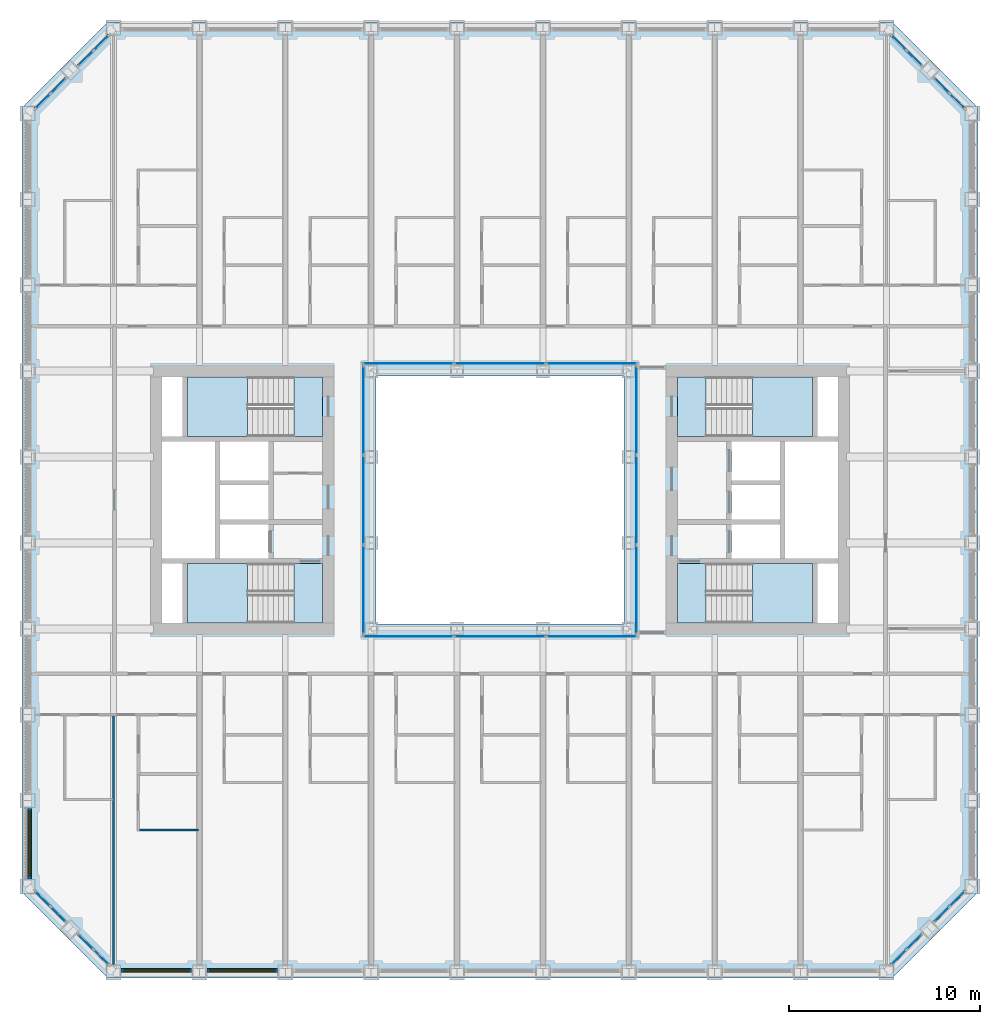
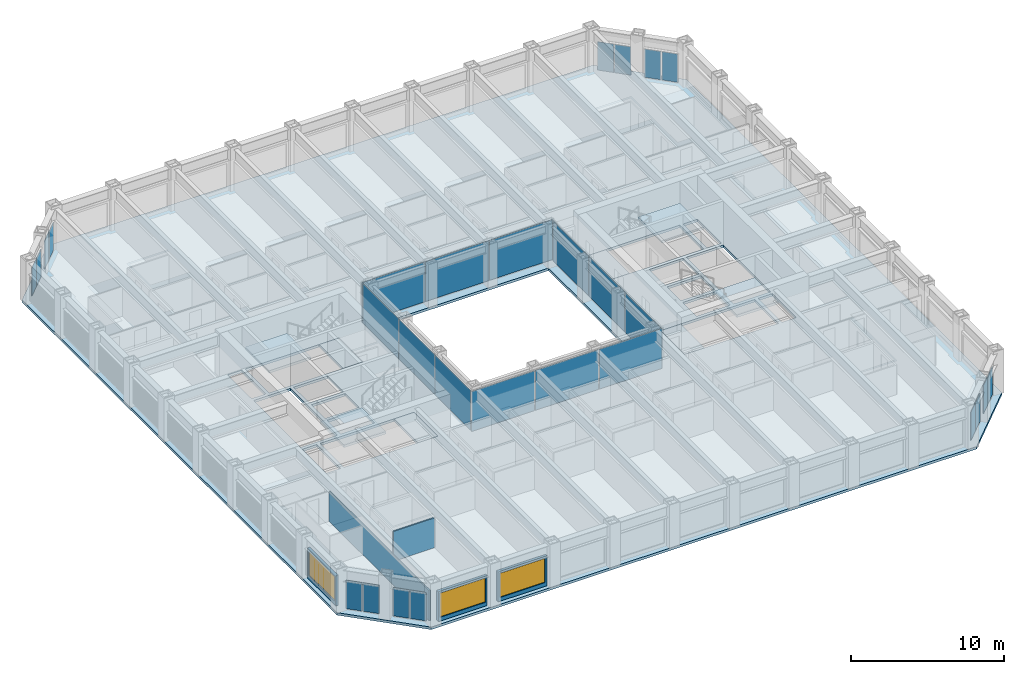
# One storey, part 8 of 21: 28 plates, 9 slabs, 5 walls, 3 windows, 3 openings, 16 elements without a shape of their own.
"""IFC4 building model written with IfcOpenShell, lengths in metres."""

from ifc_helpers import new_model, si_unit, direction, frame, frame_2d, origin, origin_2d, place, context, subcontext, project, spatial, polyline, rectangle, outline, extrude, material, layer, layer_set, type_object, element, fill, aggregate, save


model = new_model("IFC4")

# Units and contexts
model_context = context("Model", 3, precision=1e-05, world=origin(), true_north=direction((0.0, 1.0)))
body_context = subcontext(model_context, "Body", "Model", "MODEL_VIEW")
ifc_project = project(units=[si_unit("LENGTHUNIT", "METRE"), si_unit("AREAUNIT", "SQUARE_METRE"), si_unit("VOLUMEUNIT", "CUBIC_METRE"), si_unit("PLANEANGLEUNIT", "RADIAN"), si_unit("MASSUNIT", "GRAM", prefix="KILO")], contexts=[model_context])

# Site, building, storey
site_placement = place(None, origin())
site = spatial("IfcSite", under=ifc_project, at=site_placement, CompositionType="ELEMENT")
building_placement = place(site_placement, origin())
building = spatial("IfcBuilding", under=site, at=building_placement, Name="Msasa Ring Tower", CompositionType="ELEMENT")
storey_placement = place(building_placement, frame((0.0, 0.0, 33.5)))
storey = spatial("IfcBuildingStorey", under=building, at=storey_placement, Name="L07", CompositionType="ELEMENT", Elevation=33.5)

# Curtain wall, plates
ifc_material_1 = material(Name="Aluminium curtain wall with clear glass", Category="aluminium")
curtain_wall_type_1 = type_object("IfcCurtainWallType", Name="CW-C CHAMFER CORNER CURTAIN WALL", PredefinedType="NOTDEFINED", material=ifc_material_1)
curtain_wall_1_placement = place(storey_placement, origin())
curtain_wall_1 = element("IfcCurtainWall", 1, at=curtain_wall_1_placement, inside=storey, type_object=curtain_wall_type_1, Name="Chamfer corner curtain wall SE L07", PredefinedType="NOTDEFINED")
ifc_material_2 = material(Name="Clear laminated insulating glass unit", Category="glass")
ifc_layer_1 = layer(ifc_material_2, 0.031982421875)
ifc_layer_set_1 = layer_set([ifc_layer_1], Name="CW-C GLASS PANEL 32")
plate_type_1 = type_object("IfcPlateType", Name="CW-C GLASS PANEL 32", PredefinedType="CURTAIN_PANEL", material=ifc_layer_set_1)
plate_1_placement = place(storey_placement, frame((20.896484375, -23.962158203125, 0.06494140625), z_axis=(0.0, 0.0, 1.0), x_axis=(0.707106781187, 0.707106781187, 0.0)))
plate_1 = element("IfcPlate", 2, at=plate_1_placement, type_object=plate_type_1, Name="CW-C panel 1.1", PredefinedType="CURTAIN_PANEL", context=body_context, shape_type="SweptSolid", body=[
    extrude(rectangle(XDim=1.08837890625, YDim=0.031982421875, at=origin_2d()), origin(), (0.0, 0.0, 1.0), 2.2490234375),
])
plate_2_placement = place(storey_placement, frame((21.712158203125, -23.146484375, 0.06494140625), z_axis=(0.0, 0.0, 1.0), x_axis=(0.707106781187, 0.707106781187, 0.0)))
plate_2 = element("IfcPlate", 3, at=plate_2_placement, type_object=plate_type_1, Name="CW-C panel 2.1", PredefinedType="CURTAIN_PANEL", context=body_context, shape_type="SweptSolid", body=[
    extrude(rectangle(XDim=1.08837890625, YDim=0.031982421875, at=origin_2d()), origin(), (0.0, 0.0, 1.0), 2.2490234375),
])
aggregate(curtain_wall_1, [plate_1, plate_2])

curtain_wall_2_placement = place(storey_placement, origin())
curtain_wall_2 = element("IfcCurtainWall", 4, at=curtain_wall_2_placement, inside=storey, type_object=curtain_wall_type_1, Name="Chamfer corner curtain wall SE L07", PredefinedType="NOTDEFINED")
plate_3_placement = place(storey_placement, frame((23.146484375, -21.712158203125, 0.06494140625), z_axis=(0.0, 0.0, 1.0), x_axis=(0.707106781187, 0.707106781187, 0.0)))
plate_3 = element("IfcPlate", 5, at=plate_3_placement, type_object=plate_type_1, Name="CW-C panel 1.1", PredefinedType="CURTAIN_PANEL", context=body_context, shape_type="SweptSolid", body=[
    extrude(rectangle(XDim=1.08837890625, YDim=0.031982421875, at=origin_2d()), origin(), (0.0, 0.0, 1.0), 2.2490234375),
])
plate_4_placement = place(storey_placement, frame((23.962158203125, -20.896484375, 0.06494140625), z_axis=(0.0, 0.0, 1.0), x_axis=(0.707106781187, 0.707106781187, 0.0)))
plate_4 = element("IfcPlate", 6, at=plate_4_placement, type_object=plate_type_1, Name="CW-C panel 2.1", PredefinedType="CURTAIN_PANEL", context=body_context, shape_type="SweptSolid", body=[
    extrude(rectangle(XDim=1.08837890625, YDim=0.031982421875, at=origin_2d()), origin(), (0.0, 0.0, 1.0), 2.2490234375),
])
aggregate(curtain_wall_2, [plate_3, plate_4])

curtain_wall_3_placement = place(storey_placement, origin())
curtain_wall_3 = element("IfcCurtainWall", 7, at=curtain_wall_3_placement, inside=storey, type_object=curtain_wall_type_1, Name="Chamfer corner curtain wall NE L07", PredefinedType="NOTDEFINED")
plate_5_placement = place(storey_placement, frame((21.712158203125, 23.146484375, 0.06494140625), z_axis=(0.0, 0.0, 1.0), x_axis=(-0.707106781187, 0.707106781187, 0.0)))
plate_5 = element("IfcPlate", 8, at=plate_5_placement, type_object=plate_type_1, Name="CW-C panel 1.1", PredefinedType="CURTAIN_PANEL", context=body_context, shape_type="SweptSolid", body=[
    extrude(rectangle(XDim=1.08837890625, YDim=0.031982421875, at=origin_2d()), origin(), (0.0, 0.0, 1.0), 2.2490234375),
])
plate_6_placement = place(storey_placement, frame((20.896484375, 23.962158203125, 0.06494140625), z_axis=(0.0, 0.0, 1.0), x_axis=(-0.707106781187, 0.707106781187, 0.0)))
plate_6 = element("IfcPlate", 9, at=plate_6_placement, type_object=plate_type_1, Name="CW-C panel 2.1", PredefinedType="CURTAIN_PANEL", context=body_context, shape_type="SweptSolid", body=[
    extrude(rectangle(XDim=1.08837890625, YDim=0.031982421875, at=origin_2d()), origin(), (0.0, 0.0, 1.0), 2.2490234375),
])
aggregate(curtain_wall_3, [plate_5, plate_6])

curtain_wall_4_placement = place(storey_placement, origin())
curtain_wall_4 = element("IfcCurtainWall", 10, at=curtain_wall_4_placement, inside=storey, type_object=curtain_wall_type_1, Name="Chamfer corner curtain wall NE L07", PredefinedType="NOTDEFINED")
plate_7_placement = place(storey_placement, frame((23.962158203125, 20.896484375, 0.06494140625), z_axis=(0.0, 0.0, 1.0), x_axis=(-0.707106781187, 0.707106781187, 0.0)))
plate_7 = element("IfcPlate", 11, at=plate_7_placement, type_object=plate_type_1, Name="CW-C panel 1.1", PredefinedType="CURTAIN_PANEL", context=body_context, shape_type="SweptSolid", body=[
    extrude(rectangle(XDim=1.08837890625, YDim=0.031982421875, at=origin_2d()), origin(), (0.0, 0.0, 1.0), 2.2490234375),
])
plate_8_placement = place(storey_placement, frame((23.146484375, 21.712158203125, 0.06494140625), z_axis=(0.0, 0.0, 1.0), x_axis=(-0.707106781187, 0.707106781187, 0.0)))
plate_8 = element("IfcPlate", 12, at=plate_8_placement, type_object=plate_type_1, Name="CW-C panel 2.1", PredefinedType="CURTAIN_PANEL", context=body_context, shape_type="SweptSolid", body=[
    extrude(rectangle(XDim=1.08837890625, YDim=0.031982421875, at=origin_2d()), origin(), (0.0, 0.0, 1.0), 2.2490234375),
])
aggregate(curtain_wall_4, [plate_7, plate_8])

curtain_wall_5_placement = place(storey_placement, origin())
curtain_wall_5 = element("IfcCurtainWall", 13, at=curtain_wall_5_placement, inside=storey, type_object=curtain_wall_type_1, Name="Chamfer corner curtain wall NW L07", PredefinedType="NOTDEFINED")
plate_9_placement = place(storey_placement, frame((-23.146484375, 21.712158203125, 0.06494140625), z_axis=(0.0, 0.0, 1.0), x_axis=(-0.707106781187, -0.707106781187, 0.0)))
plate_9 = element("IfcPlate", 14, at=plate_9_placement, type_object=plate_type_1, Name="CW-C panel 1.1", PredefinedType="CURTAIN_PANEL", context=body_context, shape_type="SweptSolid", body=[
    extrude(rectangle(XDim=1.08837890625, YDim=0.031982421875, at=origin_2d()), origin(), (0.0, 0.0, 1.0), 2.2490234375),
])
plate_10_placement = place(storey_placement, frame((-23.962158203125, 20.896484375, 0.06494140625), z_axis=(0.0, 0.0, 1.0), x_axis=(-0.707106781187, -0.707106781187, 0.0)))
plate_10 = element("IfcPlate", 15, at=plate_10_placement, type_object=plate_type_1, Name="CW-C panel 2.1", PredefinedType="CURTAIN_PANEL", context=body_context, shape_type="SweptSolid", body=[
    extrude(rectangle(XDim=1.08837890625, YDim=0.031982421875, at=origin_2d()), origin(), (0.0, 0.0, 1.0), 2.2490234375),
])
aggregate(curtain_wall_5, [plate_9, plate_10])

curtain_wall_6_placement = place(storey_placement, origin())
curtain_wall_6 = element("IfcCurtainWall", 16, at=curtain_wall_6_placement, inside=storey, type_object=curtain_wall_type_1, Name="Chamfer corner curtain wall NW L07", PredefinedType="NOTDEFINED")
plate_11_placement = place(storey_placement, frame((-20.896484375, 23.962158203125, 0.06494140625), z_axis=(0.0, 0.0, 1.0), x_axis=(-0.707106781187, -0.707106781187, 0.0)))
plate_11 = element("IfcPlate", 17, at=plate_11_placement, type_object=plate_type_1, Name="CW-C panel 1.1", PredefinedType="CURTAIN_PANEL", context=body_context, shape_type="SweptSolid", body=[
    extrude(rectangle(XDim=1.08837890625, YDim=0.031982421875, at=origin_2d()), origin(), (0.0, 0.0, 1.0), 2.2490234375),
])
plate_12_placement = place(storey_placement, frame((-21.712158203125, 23.146484375, 0.06494140625), z_axis=(0.0, 0.0, 1.0), x_axis=(-0.707106781187, -0.707106781187, 0.0)))
plate_12 = element("IfcPlate", 18, at=plate_12_placement, type_object=plate_type_1, Name="CW-C panel 2.1", PredefinedType="CURTAIN_PANEL", context=body_context, shape_type="SweptSolid", body=[
    extrude(rectangle(XDim=1.08837890625, YDim=0.031982421875, at=origin_2d()), origin(), (0.0, 0.0, 1.0), 2.2490234375),
])
aggregate(curtain_wall_6, [plate_11, plate_12])

curtain_wall_7_placement = place(storey_placement, origin())
curtain_wall_7 = element("IfcCurtainWall", 19, at=curtain_wall_7_placement, inside=storey, type_object=curtain_wall_type_1, Name="Chamfer corner curtain wall SW L07", PredefinedType="NOTDEFINED")
plate_13_placement = place(storey_placement, frame((-23.962158203125, -20.896484375, 0.06494140625), z_axis=(0.0, 0.0, 1.0), x_axis=(0.707106781187, -0.707106781187, 0.0)))
plate_13 = element("IfcPlate", 20, at=plate_13_placement, type_object=plate_type_1, Name="CW-C panel 1.1", PredefinedType="CURTAIN_PANEL", context=body_context, shape_type="SweptSolid", body=[
    extrude(rectangle(XDim=1.08837890625, YDim=0.031982421875, at=origin_2d()), origin(), (0.0, 0.0, 1.0), 2.2490234375),
])
plate_14_placement = place(storey_placement, frame((-23.146484375, -21.712158203125, 0.06494140625), z_axis=(0.0, 0.0, 1.0), x_axis=(0.707106781187, -0.707106781187, 0.0)))
plate_14 = element("IfcPlate", 21, at=plate_14_placement, type_object=plate_type_1, Name="CW-C panel 2.1", PredefinedType="CURTAIN_PANEL", context=body_context, shape_type="SweptSolid", body=[
    extrude(rectangle(XDim=1.08837890625, YDim=0.031982421875, at=origin_2d()), origin(), (0.0, 0.0, 1.0), 2.2490234375),
])
aggregate(curtain_wall_7, [plate_13, plate_14])

curtain_wall_8_placement = place(storey_placement, origin())
curtain_wall_8 = element("IfcCurtainWall", 22, at=curtain_wall_8_placement, inside=storey, type_object=curtain_wall_type_1, Name="Chamfer corner curtain wall SW L07", PredefinedType="NOTDEFINED")
plate_15_placement = place(storey_placement, frame((-21.712158203125, -23.146484375, 0.06494140625), z_axis=(0.0, 0.0, 1.0), x_axis=(0.707106781187, -0.707106781187, 0.0)))
plate_15 = element("IfcPlate", 23, at=plate_15_placement, type_object=plate_type_1, Name="CW-C panel 1.1", PredefinedType="CURTAIN_PANEL", context=body_context, shape_type="SweptSolid", body=[
    extrude(rectangle(XDim=1.08837890625, YDim=0.031982421875, at=origin_2d()), origin(), (0.0, 0.0, 1.0), 2.2490234375),
])
plate_16_placement = place(storey_placement, frame((-20.896484375, -23.962158203125, 0.06494140625), z_axis=(0.0, 0.0, 1.0), x_axis=(0.707106781187, -0.707106781187, 0.0)))
plate_16 = element("IfcPlate", 24, at=plate_16_placement, type_object=plate_type_1, Name="CW-C panel 2.1", PredefinedType="CURTAIN_PANEL", context=body_context, shape_type="SweptSolid", body=[
    extrude(rectangle(XDim=1.08837890625, YDim=0.031982421875, at=origin_2d()), origin(), (0.0, 0.0, 1.0), 2.2490234375),
])
aggregate(curtain_wall_8, [plate_15, plate_16])

ifc_material_3 = material(Name="Aluminium curtain wall with clear glass", Category="aluminium")
curtain_wall_type_2 = type_object("IfcCurtainWallType", Name="CW-W LIGHT WELL CURTAIN WALL", PredefinedType="NOTDEFINED", material=ifc_material_3)
curtain_wall_9_placement = place(storey_placement, origin())
curtain_wall_9 = element("IfcCurtainWall", 25, at=curtain_wall_9_placement, inside=storey, type_object=curtain_wall_type_2, Name="Light well curtain wall N L07", PredefinedType="NOTDEFINED")
ifc_material_4 = material(Name="Clear laminated insulating glass unit", Category="glass")
ifc_layer_2 = layer(ifc_material_4, 0.028076171875)
ifc_layer_set_2 = layer_set([ifc_layer_2], Name="CW-W GLASS PANEL 28")
plate_type_2 = type_object("IfcPlateType", Name="CW-W GLASS PANEL 28", PredefinedType="CURTAIN_PANEL", material=ifc_layer_set_2)
plate_17_placement = place(storey_placement, frame((-4.804931640625, 7.14990234375, 0.06005859375), z_axis=(0.0, 0.0, 1.0), x_axis=(1.0, 0.0, 0.0)))
plate_17 = element("IfcPlate", 26, at=plate_17_placement, type_object=plate_type_2, Name="CW-W panel 1.1", PredefinedType="CURTAIN_PANEL", context=body_context, shape_type="SweptSolid", body=[
    extrude(rectangle(XDim=4.72998046875, YDim=0.028076171875, at=origin_2d()), origin(), (0.0, 0.0, 1.0), 3.179931640625),
])
plate_18_placement = place(storey_placement, frame((0.0, 7.14990234375, 0.06005859375), z_axis=(0.0, 0.0, 1.0), x_axis=(1.0, 0.0, 0.0)))
plate_18 = element("IfcPlate", 27, at=plate_18_placement, type_object=plate_type_2, Name="CW-W panel 2.1", PredefinedType="CURTAIN_PANEL", context=body_context, shape_type="SweptSolid", body=[
    extrude(rectangle(XDim=4.760009765625, YDim=0.028076171875, at=origin_2d()), origin(), (0.0, 0.0, 1.0), 3.179931640625),
])
plate_19_placement = place(storey_placement, frame((4.804931640625, 7.14990234375, 0.06005859375), z_axis=(0.0, 0.0, 1.0), x_axis=(1.0, 0.0, 0.0)))
plate_19 = element("IfcPlate", 28, at=plate_19_placement, type_object=plate_type_2, Name="CW-W panel 3.1", PredefinedType="CURTAIN_PANEL", context=body_context, shape_type="SweptSolid", body=[
    extrude(rectangle(XDim=4.72998046875, YDim=0.028076171875, at=origin_2d()), origin(), (0.0, 0.0, 1.0), 3.179931640625),
])
aggregate(curtain_wall_9, [plate_17, plate_18, plate_19])

curtain_wall_10_placement = place(storey_placement, origin())
curtain_wall_10 = element("IfcCurtainWall", 29, at=curtain_wall_10_placement, inside=storey, type_object=curtain_wall_type_2, Name="Light well curtain wall S L07", PredefinedType="NOTDEFINED")
plate_20_placement = place(storey_placement, frame((-4.804931640625, -7.14990234375, 0.06005859375), z_axis=(0.0, 0.0, 1.0), x_axis=(1.0, 0.0, 0.0)))
plate_20 = element("IfcPlate", 30, at=plate_20_placement, type_object=plate_type_2, Name="CW-W panel 1.1", PredefinedType="CURTAIN_PANEL", context=body_context, shape_type="SweptSolid", body=[
    extrude(rectangle(XDim=4.72998046875, YDim=0.028076171875, at=origin_2d()), origin(), (0.0, 0.0, 1.0), 3.179931640625),
])
plate_21_placement = place(storey_placement, frame((0.0, -7.14990234375, 0.06005859375), z_axis=(0.0, 0.0, 1.0), x_axis=(1.0, 0.0, 0.0)))
plate_21 = element("IfcPlate", 31, at=plate_21_placement, type_object=plate_type_2, Name="CW-W panel 2.1", PredefinedType="CURTAIN_PANEL", context=body_context, shape_type="SweptSolid", body=[
    extrude(rectangle(XDim=4.760009765625, YDim=0.028076171875, at=origin_2d()), origin(), (0.0, 0.0, 1.0), 3.179931640625),
])
plate_22_placement = place(storey_placement, frame((4.804931640625, -7.14990234375, 0.06005859375), z_axis=(0.0, 0.0, 1.0), x_axis=(1.0, 0.0, 0.0)))
plate_22 = element("IfcPlate", 32, at=plate_22_placement, type_object=plate_type_2, Name="CW-W panel 3.1", PredefinedType="CURTAIN_PANEL", context=body_context, shape_type="SweptSolid", body=[
    extrude(rectangle(XDim=4.72998046875, YDim=0.028076171875, at=origin_2d()), origin(), (0.0, 0.0, 1.0), 3.179931640625),
])
aggregate(curtain_wall_10, [plate_20, plate_21, plate_22])

curtain_wall_11_placement = place(storey_placement, origin())
curtain_wall_11 = element("IfcCurtainWall", 33, at=curtain_wall_11_placement, inside=storey, type_object=curtain_wall_type_2, Name="Light well curtain wall E L07", PredefinedType="NOTDEFINED")
plate_23_placement = place(storey_placement, frame((7.14990234375, -4.6982421875, 0.06005859375), z_axis=(0.0, 0.0, 1.0), x_axis=(0.0, 1.0, 0.0)))
plate_23 = element("IfcPlate", 34, at=plate_23_placement, type_object=plate_type_2, Name="CW-W panel 1.1", PredefinedType="CURTAIN_PANEL", context=body_context, shape_type="SweptSolid", body=[
    extrude(rectangle(XDim=4.623291015625, YDim=0.028076171875, at=origin_2d()), origin(), (0.0, 0.0, 1.0), 3.179931640625),
])
plate_24_placement = place(storey_placement, frame((7.14990234375, 0.0, 0.06005859375), z_axis=(0.0, 0.0, 1.0), x_axis=(0.0, 1.0, 0.0)))
plate_24 = element("IfcPlate", 35, at=plate_24_placement, type_object=plate_type_2, Name="CW-W panel 2.1", PredefinedType="CURTAIN_PANEL", context=body_context, shape_type="SweptSolid", body=[
    extrude(rectangle(XDim=4.6533203125, YDim=0.028076171875, at=origin_2d()), origin(), (0.0, 0.0, 1.0), 3.179931640625),
])
plate_25_placement = place(storey_placement, frame((7.14990234375, 4.6982421875, 0.06005859375), z_axis=(0.0, 0.0, 1.0), x_axis=(0.0, 1.0, 0.0)))
plate_25 = element("IfcPlate", 36, at=plate_25_placement, type_object=plate_type_2, Name="CW-W panel 3.1", PredefinedType="CURTAIN_PANEL", context=body_context, shape_type="SweptSolid", body=[
    extrude(rectangle(XDim=4.623291015625, YDim=0.028076171875, at=origin_2d()), origin(), (0.0, 0.0, 1.0), 3.179931640625),
])
aggregate(curtain_wall_11, [plate_23, plate_24, plate_25])

curtain_wall_12_placement = place(storey_placement, origin())
curtain_wall_12 = element("IfcCurtainWall", 37, at=curtain_wall_12_placement, inside=storey, type_object=curtain_wall_type_2, Name="Light well curtain wall W L07", PredefinedType="NOTDEFINED")
plate_26_placement = place(storey_placement, frame((-7.14990234375, -4.6982421875, 0.06005859375), z_axis=(0.0, 0.0, 1.0), x_axis=(0.0, 1.0, 0.0)))
plate_26 = element("IfcPlate", 38, at=plate_26_placement, type_object=plate_type_2, Name="CW-W panel 1.1", PredefinedType="CURTAIN_PANEL", context=body_context, shape_type="SweptSolid", body=[
    extrude(rectangle(XDim=4.623291015625, YDim=0.028076171875, at=origin_2d()), origin(), (0.0, 0.0, 1.0), 3.179931640625),
])
plate_27_placement = place(storey_placement, frame((-7.14990234375, 0.0, 0.06005859375), z_axis=(0.0, 0.0, 1.0), x_axis=(0.0, 1.0, 0.0)))
plate_27 = element("IfcPlate", 39, at=plate_27_placement, type_object=plate_type_2, Name="CW-W panel 2.1", PredefinedType="CURTAIN_PANEL", context=body_context, shape_type="SweptSolid", body=[
    extrude(rectangle(XDim=4.6533203125, YDim=0.028076171875, at=origin_2d()), origin(), (0.0, 0.0, 1.0), 3.179931640625),
])
plate_28_placement = place(storey_placement, frame((-7.14990234375, 4.6982421875, 0.06005859375), z_axis=(0.0, 0.0, 1.0), x_axis=(0.0, 1.0, 0.0)))
plate_28 = element("IfcPlate", 40, at=plate_28_placement, type_object=plate_type_2, Name="CW-W panel 3.1", PredefinedType="CURTAIN_PANEL", context=body_context, shape_type="SweptSolid", body=[
    extrude(rectangle(XDim=4.623291015625, YDim=0.028076171875, at=origin_2d()), origin(), (0.0, 0.0, 1.0), 3.179931640625),
])
aggregate(curtain_wall_12, [plate_26, plate_27, plate_28])

# Stair, slabs
ifc_material_5 = material(Name="Concrete C40/50", Category="concrete")
stair_type = type_object("IfcStairType", Name="STC CORE STAIR 20 RISERS 175", PredefinedType="HALF_TURN_STAIR", material=ifc_material_5)
stair_1_placement = place(storey_placement, origin())
stair_1 = element("IfcStair", 41, at=stair_1_placement, inside=storey, type_object=stair_type, Name="Core stair SEA L07", PredefinedType="HALF_TURN_STAIR")
ifc_material_6 = material(Name="Concrete C40/50", Category="concrete")
ifc_layer_3 = layer(ifc_material_6, 0.199951171875)
ifc_layer_set_3 = layer_set([ifc_layer_3], Name="LD1 CORE STAIR LANDING 200")
slab_type_1 = type_object("IfcSlabType", Name="LD1 CORE STAIR LANDING 200", PredefinedType="LANDING", material=ifc_layer_set_3)
slab_1_placement = place(storey_placement, frame((0.0, 0.0, -0.199951171875)))
slab_1 = element("IfcSlab", 42, at=slab_1_placement, type_object=slab_type_1, Name="SEA landing 1", PredefinedType="LANDING", context=body_context, shape_type="SweptSolid", body=[
    extrude(outline(polyline([(9.300048828125, -6.449951171875), (10.800048828125, -6.449951171875), (10.800048828125, -3.324951171875), (9.300048828125, -3.324951171875), (9.300048828125, -6.449951171875)])), origin(), (0.0, 0.0, 1.0), 0.199951171875),
])
slab_2_placement = place(storey_placement, frame((0.0, 0.0, 1.550048828125)))
slab_2 = element("IfcSlab", 43, at=slab_2_placement, type_object=slab_type_1, Name="SEA landing 2", PredefinedType="LANDING", context=body_context, shape_type="SweptSolid", body=[
    extrude(outline(polyline([(13.22998046875, -6.449951171875), (16.375, -6.449951171875), (16.375, -3.324951171875), (13.22998046875, -3.324951171875), (13.22998046875, -6.449951171875)])), origin(), (0.0, 0.0, 1.0), 0.199951171875),
])
aggregate(stair_1, [slab_1, slab_2])

stair_2_placement = place(storey_placement, origin())
stair_2 = element("IfcStair", 44, at=stair_2_placement, inside=storey, type_object=stair_type, Name="Core stair SEB L07", PredefinedType="HALF_TURN_STAIR")
slab_3_placement = place(storey_placement, frame((0.0, 0.0, -0.199951171875)))
slab_3 = element("IfcSlab", 45, at=slab_3_placement, type_object=slab_type_1, Name="SEB landing 1", PredefinedType="LANDING", context=body_context, shape_type="SweptSolid", body=[
    extrude(outline(polyline([(9.300048828125, 3.324951171875), (10.800048828125, 3.324951171875), (10.800048828125, 6.449951171875), (9.300048828125, 6.449951171875), (9.300048828125, 3.324951171875)])), origin(), (0.0, 0.0, 1.0), 0.199951171875),
])
slab_4_placement = place(storey_placement, frame((0.0, 0.0, 1.550048828125)))
slab_4 = element("IfcSlab", 46, at=slab_4_placement, type_object=slab_type_1, Name="SEB landing 2", PredefinedType="LANDING", context=body_context, shape_type="SweptSolid", body=[
    extrude(outline(polyline([(13.22998046875, 3.324951171875), (16.375, 3.324951171875), (16.375, 6.449951171875), (13.22998046875, 6.449951171875), (13.22998046875, 3.324951171875)])), origin(), (0.0, 0.0, 1.0), 0.199951171875),
])
aggregate(stair_2, [slab_3, slab_4])

stair_3_placement = place(storey_placement, origin())
stair_3 = element("IfcStair", 47, at=stair_3_placement, inside=storey, type_object=stair_type, Name="Core stair SWA L07", PredefinedType="HALF_TURN_STAIR")
slab_5_placement = place(storey_placement, frame((0.0, 0.0, -0.199951171875)))
slab_5 = element("IfcSlab", 48, at=slab_5_placement, type_object=slab_type_1, Name="SWA landing 1", PredefinedType="LANDING", context=body_context, shape_type="SweptSolid", body=[
    extrude(outline(polyline([(-10.800048828125, -6.449951171875), (-9.300048828125, -6.449951171875), (-9.300048828125, -3.324951171875), (-10.800048828125, -3.324951171875), (-10.800048828125, -6.449951171875)])), origin(), (0.0, 0.0, 1.0), 0.199951171875),
])
slab_6_placement = place(storey_placement, frame((0.0, 0.0, 1.550048828125)))
slab_6 = element("IfcSlab", 49, at=slab_6_placement, type_object=slab_type_1, Name="SWA landing 2", PredefinedType="LANDING", context=body_context, shape_type="SweptSolid", body=[
    extrude(outline(polyline([(-16.375, -6.449951171875), (-13.22998046875, -6.449951171875), (-13.22998046875, -3.324951171875), (-16.375, -3.324951171875), (-16.375, -6.449951171875)])), origin(), (0.0, 0.0, 1.0), 0.199951171875),
])
aggregate(stair_3, [slab_5, slab_6])

stair_4_placement = place(storey_placement, origin())
stair_4 = element("IfcStair", 50, at=stair_4_placement, inside=storey, type_object=stair_type, Name="Core stair SWB L07", PredefinedType="HALF_TURN_STAIR")
slab_7_placement = place(storey_placement, frame((0.0, 0.0, -0.199951171875)))
slab_7 = element("IfcSlab", 51, at=slab_7_placement, type_object=slab_type_1, Name="SWB landing 1", PredefinedType="LANDING", context=body_context, shape_type="SweptSolid", body=[
    extrude(outline(polyline([(-10.800048828125, 3.324951171875), (-9.300048828125, 3.324951171875), (-9.300048828125, 6.449951171875), (-10.800048828125, 6.449951171875), (-10.800048828125, 3.324951171875)])), origin(), (0.0, 0.0, 1.0), 0.199951171875),
])
slab_8_placement = place(storey_placement, frame((0.0, 0.0, 1.550048828125)))
slab_8 = element("IfcSlab", 52, at=slab_8_placement, type_object=slab_type_1, Name="SWB landing 2", PredefinedType="LANDING", context=body_context, shape_type="SweptSolid", body=[
    extrude(outline(polyline([(-16.375, 3.324951171875), (-13.22998046875, 3.324951171875), (-13.22998046875, 6.449951171875), (-16.375, 6.449951171875), (-16.375, 3.324951171875)])), origin(), (0.0, 0.0, 1.0), 0.199951171875),
])
aggregate(stair_4, [slab_7, slab_8])

# Slab
ifc_material_7 = material(Name="Concrete C40/50", Category="concrete")
ifc_layer_4 = layer(ifc_material_7, 0.199951171875)
ifc_layer_set_4 = layer_set([ifc_layer_4], Name="S3 RESIDENCE FLOOR 200")
slab_type_2 = type_object("IfcSlabType", Name="S3 RESIDENCE FLOOR 200", PredefinedType="FLOOR", material=ifc_layer_set_4)
slab_9_placement = place(storey_placement, frame((0.0, 0.0, -0.199951171875)))
element("IfcSlab", 53, at=slab_9_placement, inside=storey, type_object=slab_type_2, Name="Floor slab L07", PredefinedType="FLOOR", context=body_context, shape_type="SweptSolid", body=[
    extrude(outline(polyline([(-20.550048828125, -25.050048828125), (20.550048828125, -25.050048828125), (25.050048828125, -20.550048828125), (25.050048828125, 20.550048828125), (20.550048828125, 25.050048828125), (-20.550048828125, 25.050048828125), (-25.050048828125, 20.550048828125), (-25.050048828125, -20.550048828125), (-20.550048828125, -25.050048828125)]), holes=[polyline([(-6.5, -6.5), (6.5, -6.5), (6.5, 6.5), (-6.5, 6.5), (-6.5, -6.5)]), polyline([(9.300048828125, -6.449951171875), (16.375, -6.449951171875), (16.375, -3.324951171875), (9.300048828125, -3.324951171875), (9.300048828125, -6.449951171875)]), polyline([(9.300048828125, 3.324951171875), (16.375, 3.324951171875), (16.375, 6.449951171875), (9.300048828125, 6.449951171875), (9.300048828125, 3.324951171875)]), polyline([(12.125, -3.074951171875), (14.675048828125, -3.074951171875), (14.675048828125, -1.27490234375), (12.125, -1.27490234375), (12.125, -3.074951171875)]), polyline([(12.125, -1.02490234375), (14.675048828125, -1.02490234375), (14.675048828125, 0.77490234375), (12.125, 0.77490234375), (12.125, -1.02490234375)]), polyline([(12.125, 1.02490234375), (14.675048828125, 1.02490234375), (14.675048828125, 3.074951171875), (12.125, 3.074951171875), (12.125, 1.02490234375)]), polyline([(16.625, -6.449951171875), (17.699951171875, -6.449951171875), (17.699951171875, -3.324951171875), (16.625, -3.324951171875), (16.625, -6.449951171875)]), polyline([(16.625, 3.324951171875), (17.699951171875, 3.324951171875), (17.699951171875, 6.449951171875), (16.625, 6.449951171875), (16.625, 3.324951171875)]), polyline([(14.925048828125, -3.074951171875), (17.699951171875, -3.074951171875), (17.699951171875, 3.074951171875), (14.925048828125, 3.074951171875), (14.925048828125, -3.074951171875)]), polyline([(-16.375, -6.449951171875), (-9.300048828125, -6.449951171875), (-9.300048828125, -3.324951171875), (-16.375, -3.324951171875), (-16.375, -6.449951171875)]), polyline([(-16.375, 3.324951171875), (-9.300048828125, 3.324951171875), (-9.300048828125, 6.449951171875), (-16.375, 6.449951171875), (-16.375, 3.324951171875)]), polyline([(-14.675048828125, -3.074951171875), (-12.125, -3.074951171875), (-12.125, -1.27490234375), (-14.675048828125, -1.27490234375), (-14.675048828125, -3.074951171875)]), polyline([(-14.675048828125, -1.02490234375), (-12.125, -1.02490234375), (-12.125, 0.77490234375), (-14.675048828125, 0.77490234375), (-14.675048828125, -1.02490234375)]), polyline([(-14.675048828125, 1.02490234375), (-12.125, 1.02490234375), (-12.125, 3.074951171875), (-14.675048828125, 3.074951171875), (-14.675048828125, 1.02490234375)]), polyline([(-17.699951171875, -6.449951171875), (-16.625, -6.449951171875), (-16.625, -3.324951171875), (-17.699951171875, -3.324951171875), (-17.699951171875, -6.449951171875)]), polyline([(-17.699951171875, 3.324951171875), (-16.625, 3.324951171875), (-16.625, 6.449951171875), (-17.699951171875, 6.449951171875), (-17.699951171875, 3.324951171875)]), polyline([(-17.699951171875, -3.074951171875), (-14.925048828125, -3.074951171875), (-14.925048828125, 3.074951171875), (-17.699951171875, 3.074951171875), (-17.699951171875, -3.074951171875)])]), origin(), (0.0, 0.0, 1.0), 0.199951171875),
])

# Wall, opening, window
ifc_material_8 = material(Name="Terracotta rainscreen on blockwork", Category="masonry")
ifc_layer_5 = layer(ifc_material_8, 0.199951171875)
ifc_layer_set_5 = layer_set([ifc_layer_5], Name="FW1 TERRACOTTA-LINED INFILL BAY WALL 200")
wall_type_1 = type_object("IfcWallType", Name="FW1 TERRACOTTA-LINED INFILL BAY WALL 200", PredefinedType="SOLIDWALL", material=ifc_layer_set_5)
wall_1_placement = place(storey_placement, frame((-19.844970703125, -24.64990234375, 0.0), z_axis=(0.0, 0.0, 1.0), x_axis=(1.0, 0.0, 0.0)))
wall_1 = element("IfcWall", 54, at=wall_1_placement, inside=storey, type_object=wall_type_1, Name="Infill bay wall S L07 00", PredefinedType="SOLIDWALL", context=body_context, shape_type="SweptSolid", body=[
    extrude(rectangle(XDim=3.68994140625, YDim=0.199951171875, at=frame_2d((1.844970703125, 0.0))), origin(), (0.0, 0.0, 1.0), 2.37890625),
])
opening_1_placement = place(wall_1_placement, frame((0.14501953125, 0.0, 0.300048828125)))
opening_1 = element("IfcOpeningElement", 55, at=opening_1_placement, cuts=wall_1, Name="Opening WN1", PredefinedType="OPENING", context=body_context, shape_type="SweptSolid", body=[
    extrude(rectangle(XDim=3.39990234375, YDim=1.928955078125, at=frame_2d((1.699951171875, 0.96435546875))), frame((0.0, 0.10986328125, 0.0), z_axis=(0.0, -1.0, 0.0), x_axis=(1.0, 0.0, 0.0)), (0.0, 0.0, 1.0), 0.219970703125),
])
ifc_material_9 = material(Name="Aluminium frame with clear glass", Category="aluminium")
window_type = type_object("IfcWindowType", Name="WN1 RESIDENCE WINDOW 3400x1929", PartitioningType="SINGLE_PANEL", PredefinedType="WINDOW", material=ifc_material_9)
window_1_placement = place(opening_1_placement, origin())
window_1 = element("IfcWindow", 56, at=window_1_placement, inside=storey, type_object=window_type, Name="Window S L07 00", OverallHeight=1.928955078125, OverallWidth=3.39990234375, PartitioningType="SINGLE_PANEL", PredefinedType="WINDOW", context=body_context, shape_type="SweptSolid", body=[
    extrude(rectangle(XDim=3.39990234375, YDim=1.928955078125, at=frame_2d((1.699951171875, 0.96435546875))), frame((0.0, 0.030029296875, 0.0), z_axis=(0.0, -1.0, 0.0), x_axis=(1.0, 0.0, 0.0)), (0.0, 0.0, 1.0), 0.06005859375),
])
fill(opening_1, window_1)

wall_2_placement = place(storey_placement, frame((-15.344970703125, -24.64990234375, 0.0), z_axis=(0.0, 0.0, 1.0), x_axis=(1.0, 0.0, 0.0)))
wall_2 = element("IfcWall", 57, at=wall_2_placement, inside=storey, type_object=wall_type_1, Name="Infill bay wall S L07 01", PredefinedType="SOLIDWALL", context=body_context, shape_type="SweptSolid", body=[
    extrude(rectangle(XDim=3.68994140625, YDim=0.199951171875, at=frame_2d((1.844970703125, 0.0))), origin(), (0.0, 0.0, 1.0), 2.37890625),
])
opening_2_placement = place(wall_2_placement, frame((0.14501953125, 0.0, 0.300048828125)))
opening_2 = element("IfcOpeningElement", 58, at=opening_2_placement, cuts=wall_2, Name="Opening WN1", PredefinedType="OPENING", context=body_context, shape_type="SweptSolid", body=[
    extrude(rectangle(XDim=3.39990234375, YDim=1.928955078125, at=frame_2d((1.699951171875, 0.96435546875))), frame((0.0, 0.10986328125, 0.0), z_axis=(0.0, -1.0, 0.0), x_axis=(1.0, 0.0, 0.0)), (0.0, 0.0, 1.0), 0.219970703125),
])
window_2_placement = place(opening_2_placement, origin())
window_2 = element("IfcWindow", 59, at=window_2_placement, inside=storey, type_object=window_type, Name="Window S L07 01", OverallHeight=1.928955078125, OverallWidth=3.39990234375, PartitioningType="SINGLE_PANEL", PredefinedType="WINDOW", context=body_context, shape_type="SweptSolid", body=[
    extrude(rectangle(XDim=3.39990234375, YDim=1.928955078125, at=frame_2d((1.699951171875, 0.96435546875))), frame((0.0, 0.030029296875, 0.0), z_axis=(0.0, -1.0, 0.0), x_axis=(1.0, 0.0, 0.0)), (0.0, 0.0, 1.0), 0.06005859375),
])
fill(opening_2, window_2)

wall_3_placement = place(storey_placement, frame((-24.64990234375, -19.844970703125, 0.0), z_axis=(0.0, 0.0, 1.0), x_axis=(0.0, 1.0, 0.0)))
wall_3 = element("IfcWall", 60, at=wall_3_placement, inside=storey, type_object=wall_type_1, Name="Infill bay wall W L07 33", PredefinedType="SOLIDWALL", context=body_context, shape_type="SweptSolid", body=[
    extrude(rectangle(XDim=3.68994140625, YDim=0.199951171875, at=frame_2d((1.844970703125, 0.0))), origin(), (0.0, 0.0, 1.0), 2.37890625),
])
opening_3_placement = place(wall_3_placement, frame((0.14501953125, 0.0, 0.300048828125)))
opening_3 = element("IfcOpeningElement", 61, at=opening_3_placement, cuts=wall_3, Name="Opening WN1", PredefinedType="OPENING", context=body_context, shape_type="SweptSolid", body=[
    extrude(rectangle(XDim=3.39990234375, YDim=1.928955078125, at=frame_2d((1.699951171875, 0.96435546875))), frame((0.0, 0.10986328125, 0.0), z_axis=(0.0, -1.0, 0.0), x_axis=(1.0, 0.0, 0.0)), (0.0, 0.0, 1.0), 0.219970703125),
])
window_3_placement = place(opening_3_placement, origin())
window_3 = element("IfcWindow", 62, at=window_3_placement, inside=storey, type_object=window_type, Name="Window W L07 33", OverallHeight=1.928955078125, OverallWidth=3.39990234375, PartitioningType="SINGLE_PANEL", PredefinedType="WINDOW", context=body_context, shape_type="SweptSolid", body=[
    extrude(rectangle(XDim=3.39990234375, YDim=1.928955078125, at=frame_2d((1.699951171875, 0.96435546875))), frame((0.0, 0.030029296875, 0.0), z_axis=(0.0, -1.0, 0.0), x_axis=(1.0, 0.0, 0.0)), (0.0, 0.0, 1.0), 0.06005859375),
])
fill(opening_3, window_3)

# Walls
ifc_material_10 = material(Name="Gypsum board on steel studs", Category="steel")
ifc_layer_6 = layer(ifc_material_10, 0.10009765625)
ifc_layer_set_6 = layer_set([ifc_layer_6], Name="PT2 STUD PARTITION 100")
wall_type_2 = type_object("IfcWallType", Name="PT2 STUD PARTITION 100", PredefinedType="PARTITIONING", material=ifc_layer_set_6)
wall_4_placement = place(storey_placement, frame((-20.25, -24.35009765625, 0.0), z_axis=(0.0, 0.0, 1.0), x_axis=(0.0, 1.0, 0.0)))
element("IfcWall", 63, at=wall_4_placement, inside=storey, type_object=wall_type_2, Name="Partition L07-US00P1", PredefinedType="PARTITIONING", context=body_context, shape_type="SweptSolid", body=[
    extrude(rectangle(XDim=13.050048828125, YDim=0.10009765625, at=frame_2d((6.52490234375, 0.0))), origin(), (0.0, 0.0, 1.0), 2.373291015625),
])
wall_5_placement = place(storey_placement, frame((-18.949951171875, -17.291015625, 0.0), z_axis=(0.0, 0.0, 1.0), x_axis=(1.0, 0.0, 0.0)))
element("IfcWall", 64, at=wall_5_placement, inside=storey, type_object=wall_type_2, Name="Partition L07-US00WY1", PredefinedType="PARTITIONING", context=body_context, shape_type="SweptSolid", body=[
    extrude(rectangle(XDim=3.139892578125, YDim=0.10009765625, at=frame_2d((1.56982421875, 0.0))), origin(), (0.0, 0.0, 1.0), 2.373291015625),
])

save(model, "model.ifc")
